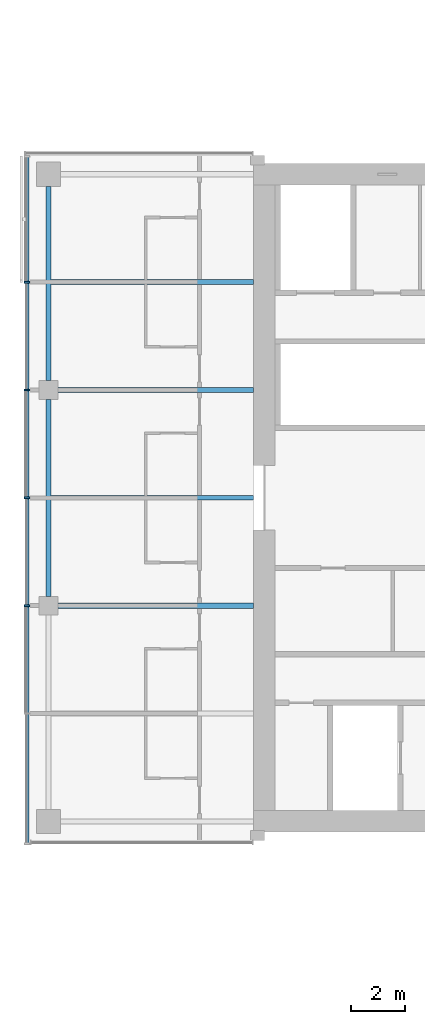
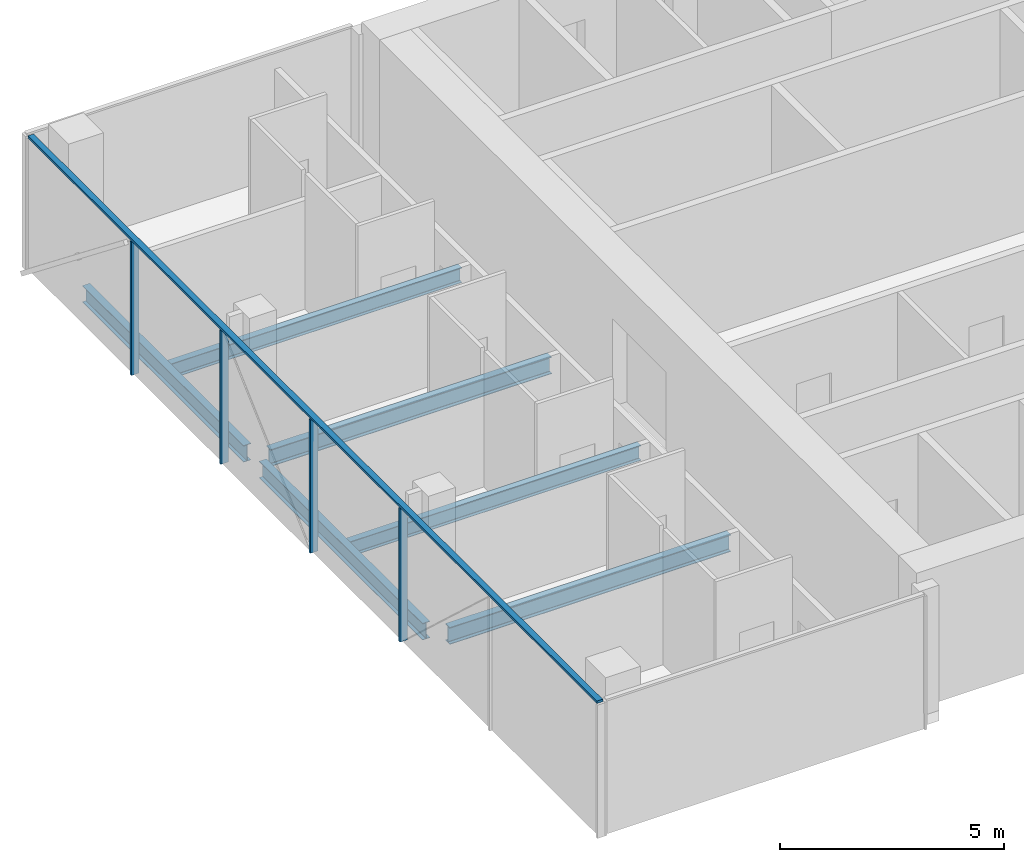
# One storey, part 6 of 27: 6 beams, 5 members, 1 element without a shape of its own.
"""IFC4 building model written with IfcOpenShell, lengths in metres."""

from ifc_helpers import new_model, si_unit, direction, frame, origin, origin_2d, place, context, subcontext, project, spatial, rectangle, i_section, extrude, material, material_profile, profile_set, type_object, element, aggregate, save


model = new_model("IFC4")

# Units and contexts
model_context = context("Model", 3, precision=1e-05, world=origin(), true_north=direction((0.0, 1.0)))
body_context = subcontext(model_context, "Body", "Model", "MODEL_VIEW")
ifc_project = project(units=[si_unit("LENGTHUNIT", "METRE"), si_unit("AREAUNIT", "SQUARE_METRE"), si_unit("VOLUMEUNIT", "CUBIC_METRE"), si_unit("PLANEANGLEUNIT", "RADIAN"), si_unit("MASSUNIT", "GRAM", prefix="KILO")], contexts=[model_context])

# Site, building, storey
site_placement = place(None, origin())
site = spatial("IfcSite", under=ifc_project, at=site_placement, CompositionType="ELEMENT")
building_placement = place(site_placement, origin())
building = spatial("IfcBuilding", under=site, at=building_placement, Name="Crosswind Convention Tower", CompositionType="ELEMENT")
storey_placement = place(building_placement, frame((0.0, 0.0, 68.300048828125)))
storey = spatial("IfcBuildingStorey", under=building, at=storey_placement, Name="L11", CompositionType="ELEMENT", Elevation=68.300048828125)

# Beams
ifc_material_1 = material(Name="Steel S355", Category="steel")
ifc_material_profile_1 = material_profile(ifc_material_1, i_section(OverallWidth=0.1904296875, OverallDepth=0.457275390625, WebThickness=0.009033203125, FlangeThickness=0.014404296875, FilletRadius=0.01025390625, at=origin_2d()), Name="UB 457x191x75")
ifc_profile_set_1 = profile_set([ifc_material_profile_1], Name="Steel S355")
beam_type_1 = type_object("IfcBeamType", Name="Edge beam UB 457x191x75", PredefinedType="SPANDREL", material=ifc_profile_set_1)
beam_1_placement = place(storey_placement, frame((89.0, 96.35009765625, -0.508544921875), z_axis=(0.0, 1.0, 0.0), x_axis=(-1.0, 0.0, 0.0)))
element("IfcBeam", 1, at=beam_1_placement, inside=storey, type_object=beam_type_1, Name="B17 L11 edge beam 2", PredefinedType="SPANDREL", context=body_context, shape_type="SweptSolid", body=[
    extrude(i_section(OverallWidth=0.1904296875, OverallDepth=0.457275390625, WebThickness=0.009033203125, FlangeThickness=0.014404296875, FilletRadius=0.01025390625, at=origin_2d()), origin(), (0.0, 0.0, 1.0), 7.2998046875),
])
beam_2_placement = place(storey_placement, frame((89.0, 104.35009765625, -0.508544921875), z_axis=(0.0, 1.0, 0.0), x_axis=(-1.0, 0.0, 0.0)))
element("IfcBeam", 2, at=beam_2_placement, inside=storey, type_object=beam_type_1, Name="B17 L11 edge beam 3", PredefinedType="SPANDREL", context=body_context, shape_type="SweptSolid", body=[
    extrude(i_section(OverallWidth=0.1904296875, OverallDepth=0.457275390625, WebThickness=0.009033203125, FlangeThickness=0.014404296875, FilletRadius=0.01025390625, at=origin_2d()), origin(), (0.0, 0.0, 1.0), 7.199951171875),
])
ifc_material_profile_2 = material_profile(ifc_material_1, i_section(OverallWidth=0.19189453125, OverallDepth=0.463623046875, WebThickness=0.010498046875, FlangeThickness=0.017578125, FilletRadius=0.01025390625, at=origin_2d()), Name="UB 457x191x90")
ifc_profile_set_2 = profile_set([ifc_material_profile_2], Name="Steel S355")
beam_type_2 = type_object("IfcBeamType", Name="Girder at core wall UB 457x191x90", PredefinedType="BEAM", material=ifc_profile_set_2)
for number, where, z_axis, x_axis, name in (
    (3, (89.35009765625, 96.0, -0.511962890625), (1.0, 0.0, 0.0), (0.0, 1.0, 0.0), "B24 L11 girder at core wall 1"),
    (4, (89.35009765625, 104.0, -0.511962890625), (1.0, 0.0, 0.0), (0.0, 1.0, 0.0), "B24 L11 girder at core wall 2"),
):
    element("IfcBeam", number, at=place(storey_placement, frame(where, z_axis=z_axis, x_axis=x_axis)), inside=storey, type_object=beam_type_2, Name=name, PredefinedType="BEAM", context=body_context, shape_type="SweptSolid", body=[
        extrude(i_section(OverallWidth=0.19189453125, OverallDepth=0.463623046875, WebThickness=0.010498046875, FlangeThickness=0.017578125, FilletRadius=0.01025390625, at=origin_2d()), origin(), (0.0, 0.0, 1.0), 7.25),
    ])

# Curtain wall, members
ifc_material_2 = material(Name="Aluminium unitised curtain wall", Category="aluminium")
curtain_wall_type = type_object("IfcCurtainWallType", Name="HOTEL UNITISED WALL 200", PredefinedType="USERDEFINED", material=ifc_material_2)
curtain_wall_placement = place(storey_placement, origin())
curtain_wall = element("IfcCurtainWall", 5, at=curtain_wall_placement, inside=storey, type_object=curtain_wall_type, Name="CW2 L11 W-TIP 1", ObjectType="UNITISED", PredefinedType="USERDEFINED")
ifc_material_3 = material(Name="Aluminium mullion", Category="aluminium")
ifc_material_profile_3 = material_profile(ifc_material_3, rectangle(XDim=0.199951171875, YDim=0.06494140625, at=origin_2d()), Name="AL 200X65")
ifc_profile_set_3 = profile_set([ifc_material_profile_3], Name="Aluminium mullion")
member_type_1 = type_object("IfcMemberType", Name="MULLION 65X200", PredefinedType="MULLION", material=ifc_profile_set_3)
member_1_placement = place(storey_placement, frame((88.199951171875, 108.0, -0.280029296875), z_axis=(0.0, 0.0, 1.0), x_axis=(-1.0, 0.0, 0.0)))
member_1 = element("IfcMember", 6, at=member_1_placement, type_object=member_type_1, Name="CW2 mullion 2", PredefinedType="MULLION", context=body_context, shape_type="SweptSolid", body=[
    extrude(rectangle(XDim=0.199951171875, YDim=0.06494140625, at=origin_2d()), origin(), (0.0, 0.0, 1.0), 3.635009765625),
])
member_2_placement = place(storey_placement, frame((88.199951171875, 104.0, -0.280029296875), z_axis=(0.0, 0.0, 1.0), x_axis=(-1.0, 0.0, 0.0)))
member_2 = element("IfcMember", 7, at=member_2_placement, type_object=member_type_1, Name="CW2 mullion 3", PredefinedType="MULLION", context=body_context, shape_type="SweptSolid", body=[
    extrude(rectangle(XDim=0.199951171875, YDim=0.06494140625, at=origin_2d()), origin(), (0.0, 0.0, 1.0), 3.635009765625),
])
member_3_placement = place(storey_placement, frame((88.199951171875, 100.0, -0.280029296875), z_axis=(0.0, 0.0, 1.0), x_axis=(-1.0, 0.0, 0.0)))
member_3 = element("IfcMember", 8, at=member_3_placement, type_object=member_type_1, Name="CW2 mullion 4", PredefinedType="MULLION", context=body_context, shape_type="SweptSolid", body=[
    extrude(rectangle(XDim=0.199951171875, YDim=0.06494140625, at=origin_2d()), origin(), (0.0, 0.0, 1.0), 3.635009765625),
])
member_4_placement = place(storey_placement, frame((88.199951171875, 96.0, -0.280029296875), z_axis=(0.0, 0.0, 1.0), x_axis=(-1.0, 0.0, 0.0)))
member_4 = element("IfcMember", 9, at=member_4_placement, type_object=member_type_1, Name="CW2 mullion 5", PredefinedType="MULLION", context=body_context, shape_type="SweptSolid", body=[
    extrude(rectangle(XDim=0.199951171875, YDim=0.06494140625, at=origin_2d()), origin(), (0.0, 0.0, 1.0), 3.635009765625),
])

# Beams
ifc_material_profile_4 = material_profile(ifc_material_1, i_section(OverallWidth=0.177734375, OverallDepth=0.406494140625, WebThickness=0.0078125, FlangeThickness=0.0126953125, FilletRadius=0.01025390625, at=origin_2d()), Name="UB 406x178x60")
ifc_profile_set_4 = profile_set([ifc_material_profile_4], Name="Steel S355")
beam_type_3 = type_object("IfcBeamType", Name="Secondary beam UB 406x178x60", PredefinedType="JOIST", material=ifc_profile_set_4)
for number, where, z_axis, x_axis, name in (
    (10, (89.09521484375, 100.0, -0.483154296875), (1.0, 0.0, 0.0), (0.0, 1.0, 0.0), "B10 L11 secondary beam 2"),
    (11, (89.09521484375, 108.0, -0.483154296875), (1.0, 0.0, 0.0), (0.0, 1.0, 0.0), "B10 L11 secondary beam 3"),
):
    element("IfcBeam", number, at=place(storey_placement, frame(where, z_axis=z_axis, x_axis=x_axis)), inside=storey, type_object=beam_type_3, Name=name, PredefinedType="JOIST", context=body_context, shape_type="SweptSolid", body=[
        extrude(i_section(OverallWidth=0.177734375, OverallDepth=0.406494140625, WebThickness=0.0078125, FlangeThickness=0.0126953125, FilletRadius=0.01025390625, at=origin_2d()), origin(), (0.0, 0.0, 1.0), 7.5048828125),
    ])

# Member
ifc_material_4 = material(Name="Aluminium transom", Category="aluminium")
ifc_material_profile_5 = material_profile(ifc_material_4, rectangle(XDim=0.14990234375, YDim=0.06494140625, at=origin_2d()), Name="AL 150X65")
ifc_profile_set_5 = profile_set([ifc_material_profile_5], Name="Aluminium transom")
member_type_2 = type_object("IfcMemberType", Name="TRANSOM 65X150", PredefinedType="USERDEFINED", material=ifc_profile_set_5)
member_5_placement = place(storey_placement, frame((88.199951171875, 112.635009765625, 3.387451171875), z_axis=(0.0, -1.0, 0.0), x_axis=(1.0, 0.0, 0.0)))
member_5 = element("IfcMember", 12, at=member_5_placement, type_object=member_type_2, Name="CW2 transom", ObjectType="TRANSOM", PredefinedType="USERDEFINED", context=body_context, shape_type="SweptSolid", body=[
    extrude(rectangle(XDim=0.14990234375, YDim=0.06494140625, at=origin_2d()), origin(), (0.0, 0.0, 1.0), 25.429931640625),
])

aggregate(curtain_wall, [member_1, member_2, member_3, member_4, member_5])

save(model, "model.ifc")
